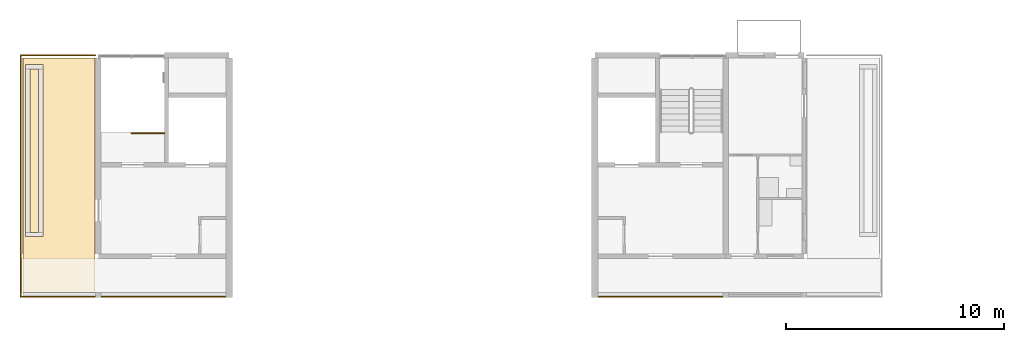
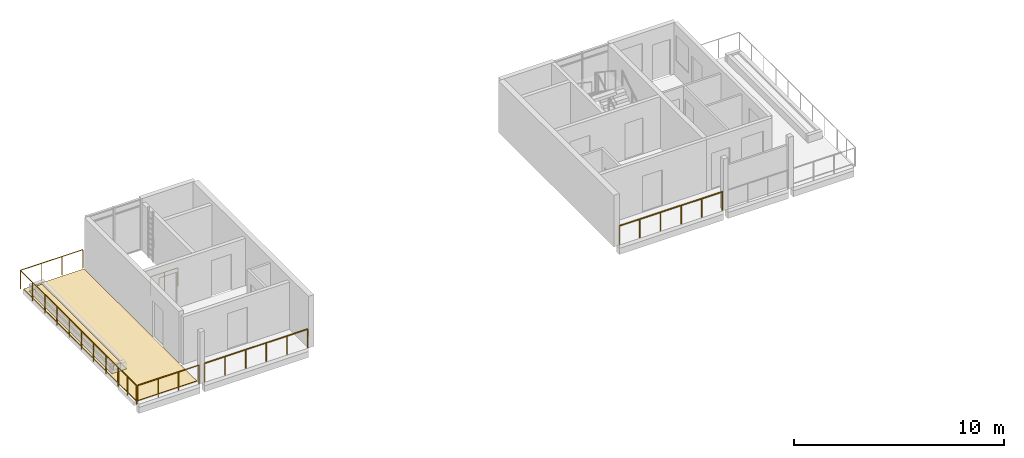
# One storey, part 29 of 33: 6 railings, 3 coverings.
"""IFC4 building model written with IfcOpenShell, lengths in metres."""

from ifc_helpers import new_model, si_unit, direction, frame, origin, origin_2d, place, context, subcontext, project, spatial, polyline, circle, outline, extrude, material, layer, layer_set, type_object, element, save


model = new_model("IFC4")

# Units and contexts
model_context = context("Model", 3, precision=1e-05, world=origin(), true_north=direction((0.0, 1.0)))
body_context = subcontext(model_context, "Body", "Model", "MODEL_VIEW")
ifc_project = project(units=[si_unit("LENGTHUNIT", "METRE"), si_unit("AREAUNIT", "SQUARE_METRE"), si_unit("VOLUMEUNIT", "CUBIC_METRE"), si_unit("PLANEANGLEUNIT", "RADIAN"), si_unit("MASSUNIT", "GRAM", prefix="KILO")], contexts=[model_context])

# Site, building, storey
site_placement = place(None, origin())
site = spatial("IfcSite", under=ifc_project, at=site_placement, CompositionType="ELEMENT")
building_placement = place(site_placement, origin())
building = spatial("IfcBuilding", under=site, at=building_placement, Name="Ridgestep Commons", CompositionType="ELEMENT")
storey_placement = place(building_placement, frame((0.0, 0.0, 42.0)))
storey = spatial("IfcBuildingStorey", under=building, at=storey_placement, Name="L14", CompositionType="ELEMENT", Elevation=42.0)

# Railings
ifc_material_1 = material(Name="Structural steel S355JR", Category="steel")
railing_type_1 = type_object("IfcRailingType", Name="Guard 1100", PredefinedType="GUARDRAIL", material=ifc_material_1)
railing_1_placement = place(storey_placement, frame((19.220947265625, 13.571044921875, 0.0)))
element("IfcRailing", 1, at=railing_1_placement, inside=storey, type_object=railing_type_1, Name="Guard TD-A1R3-GD", PredefinedType="GUARDRAIL", context=body_context, shape_type="SweptSolid", body=[
    extrude(circle(Radius=0.02392578125, at=origin_2d()), frame((0.0, 0.0, 1.076171875), z_axis=(0.0, 1.0, 0.0), x_axis=(-1.0, 0.0, 0.0)), (0.0, 0.0, 1.0), 9.303955078125),
    extrude(circle(Radius=0.02392578125, at=origin_2d()), frame((0.0, 9.303955078125, 1.076171875), z_axis=(1.0, 0.0, 0.0), x_axis=(0.0, 1.0, 0.0)), (0.0, 0.0, 1.0), 3.43310546875),
    extrude(circle(Radius=0.02099609375, at=origin_2d()), origin(), (0.0, 0.0, 1.0), 1.052001953125),
    extrude(circle(Radius=0.02099609375, at=origin_2d()), frame((0.0, 1.1630859375, 0.0)), (0.0, 0.0, 1.0), 1.052001953125),
    extrude(circle(Radius=0.02099609375, at=origin_2d()), frame((0.0, 2.325927734375, 0.0)), (0.0, 0.0, 1.0), 1.052001953125),
    extrude(circle(Radius=0.02099609375, at=origin_2d()), frame((0.0, 3.489013671875, 0.0)), (0.0, 0.0, 1.0), 1.052001953125),
    extrude(circle(Radius=0.02099609375, at=origin_2d()), frame((0.0, 4.65185546875, 0.0)), (0.0, 0.0, 1.0), 1.052001953125),
    extrude(circle(Radius=0.02099609375, at=origin_2d()), frame((0.0, 5.81494140625, 0.0)), (0.0, 0.0, 1.0), 1.052001953125),
    extrude(circle(Radius=0.02099609375, at=origin_2d()), frame((0.0, 6.97802734375, 0.0)), (0.0, 0.0, 1.0), 1.052001953125),
    extrude(circle(Radius=0.02099609375, at=origin_2d()), frame((0.0, 8.140869140625, 0.0)), (0.0, 0.0, 1.0), 1.052001953125),
    extrude(circle(Radius=0.02099609375, at=origin_2d()), frame((0.0, 9.303955078125, 0.0)), (0.0, 0.0, 1.0), 1.052001953125),
    extrude(circle(Radius=0.02099609375, at=origin_2d()), frame((1.144287109375, 9.303955078125, 0.0)), (0.0, 0.0, 1.0), 1.052001953125),
    extrude(circle(Radius=0.02099609375, at=origin_2d()), frame((2.288818359375, 9.303955078125, 0.0)), (0.0, 0.0, 1.0), 1.052001953125),
    extrude(circle(Radius=0.02099609375, at=origin_2d()), frame((3.43310546875, 9.303955078125, 0.0)), (0.0, 0.0, 1.0), 1.052001953125),
])
railing_2_placement = place(storey_placement, frame((19.283935546875, 11.800048828125, 0.0)))
element("IfcRailing", 2, at=railing_2_placement, inside=storey, type_object=railing_type_1, Name="Gallery guard A 14.1", PredefinedType="GUARDRAIL", context=body_context, shape_type="SweptSolid", body=[
    extrude(circle(Radius=0.02392578125, at=origin_2d()), frame((0.0, 0.0, 1.076171875), z_axis=(1.0, 0.0, 0.0), x_axis=(0.0, 1.0, 0.0)), (0.0, 0.0, 1.0), 3.3701171875),
    extrude(circle(Radius=0.02099609375, at=origin_2d()), origin(), (0.0, 0.0, 1.0), 1.052001953125),
    extrude(circle(Radius=0.02099609375, at=origin_2d()), frame((1.123291015625, 0.0, 0.0)), (0.0, 0.0, 1.0), 1.052001953125),
    extrude(circle(Radius=0.02099609375, at=origin_2d()), frame((2.246826171875, 0.0, 0.0)), (0.0, 0.0, 1.0), 1.052001953125),
    extrude(circle(Radius=0.02099609375, at=origin_2d()), frame((3.3701171875, 0.0, 0.0)), (0.0, 0.0, 1.0), 1.052001953125),
])
railing_3_placement = place(storey_placement, frame((19.220947265625, 11.800048828125, 0.0)))
element("IfcRailing", 3, at=railing_3_placement, inside=storey, type_object=railing_type_1, Name="Gallery end guard A 14.1W", PredefinedType="GUARDRAIL", context=body_context, shape_type="SweptSolid", body=[
    extrude(circle(Radius=0.02392578125, at=origin_2d()), frame((0.0, 0.0, 1.076171875), z_axis=(0.0, 1.0, 0.0), x_axis=(-1.0, 0.0, 0.0)), (0.0, 0.0, 1.0), 1.72900390625),
    extrude(circle(Radius=0.02099609375, at=origin_2d()), origin(), (0.0, 0.0, 1.0), 1.052001953125),
    extrude(circle(Radius=0.02099609375, at=origin_2d()), frame((0.0, 0.864501953125, 0.0)), (0.0, 0.0, 1.0), 1.052001953125),
    extrude(circle(Radius=0.02099609375, at=origin_2d()), frame((0.0, 1.72900390625, 0.0)), (0.0, 0.0, 1.0), 1.052001953125),
])
railing_4_placement = place(storey_placement, frame((22.946044921875, 11.800048828125, 0.0)))
element("IfcRailing", 4, at=railing_4_placement, inside=storey, type_object=railing_type_1, Name="Gallery guard A 14.2", PredefinedType="GUARDRAIL", context=body_context, shape_type="SweptSolid", body=[
    extrude(circle(Radius=0.02392578125, at=origin_2d()), frame((0.0, 0.0, 1.076171875), z_axis=(1.0, 0.0, 0.0), x_axis=(0.0, 1.0, 0.0)), (0.0, 0.0, 1.0), 5.682861328125),
    extrude(circle(Radius=0.02099609375, at=origin_2d()), origin(), (0.0, 0.0, 1.0), 1.052001953125),
    extrude(circle(Radius=0.02099609375, at=origin_2d()), frame((1.136474609375, 0.0, 0.0)), (0.0, 0.0, 1.0), 1.052001953125),
    extrude(circle(Radius=0.02099609375, at=origin_2d()), frame((2.273193359375, 0.0, 0.0)), (0.0, 0.0, 1.0), 1.052001953125),
    extrude(circle(Radius=0.02099609375, at=origin_2d()), frame((3.40966796875, 0.0, 0.0)), (0.0, 0.0, 1.0), 1.052001953125),
    extrude(circle(Radius=0.02099609375, at=origin_2d()), frame((4.54638671875, 0.0, 0.0)), (0.0, 0.0, 1.0), 1.052001953125),
    extrude(circle(Radius=0.02099609375, at=origin_2d()), frame((5.682861328125, 0.0, 0.0)), (0.0, 0.0, 1.0), 1.052001953125),
])
railing_5_placement = place(storey_placement, frame((45.77099609375, 11.800048828125, 0.0)))
element("IfcRailing", 5, at=railing_5_placement, inside=storey, type_object=railing_type_1, Name="Gallery guard A 14.1", PredefinedType="GUARDRAIL", context=body_context, shape_type="SweptSolid", body=[
    extrude(circle(Radius=0.02392578125, at=origin_2d()), frame((0.0, 0.0, 1.076171875), z_axis=(1.0, 0.0, 0.0), x_axis=(0.0, 1.0, 0.0)), (0.0, 0.0, 1.0), 5.68310546875),
    extrude(circle(Radius=0.02099609375, at=origin_2d()), origin(), (0.0, 0.0, 1.0), 1.052001953125),
    extrude(circle(Radius=0.02099609375, at=origin_2d()), frame((1.13671875, 0.0, 0.0)), (0.0, 0.0, 1.0), 1.052001953125),
    extrude(circle(Radius=0.02099609375, at=origin_2d()), frame((2.273193359375, 0.0, 0.0)), (0.0, 0.0, 1.0), 1.052001953125),
    extrude(circle(Radius=0.02099609375, at=origin_2d()), frame((3.409912109375, 0.0, 0.0)), (0.0, 0.0, 1.0), 1.052001953125),
    extrude(circle(Radius=0.02099609375, at=origin_2d()), frame((4.54638671875, 0.0, 0.0)), (0.0, 0.0, 1.0), 1.052001953125),
    extrude(circle(Radius=0.02099609375, at=origin_2d()), frame((5.68310546875, 0.0, 0.0)), (0.0, 0.0, 1.0), 1.052001953125),
])

# Covering
ifc_material_2 = material(Name="Planting soil")
ifc_layer_1 = layer(ifc_material_2, 0.35009765625)
ifc_layer_set_1 = layer_set([ifc_layer_1], Name="Planting soil 350")
covering_type_1 = type_object("IfcCoveringType", Name="Planting soil 350", PredefinedType="FLOORING", material=ifc_layer_set_1)
covering_1_placement = place(storey_placement, frame((0.0, 0.0, 0.010009765625)))
element("IfcCovering", 6, at=covering_1_placement, inside=storey, type_object=covering_type_1, Name="Planting soil A1R3", PredefinedType="FLOORING", context=body_context, shape_type="SweptSolid", body=[
    extrude(outline(polyline([(19.64990234375, 14.75), (20.050048828125, 14.75), (20.050048828125, 22.25), (19.64990234375, 22.25), (19.64990234375, 14.75)])), origin(), (0.0, 0.0, 1.0), 0.35009765625),
])

# Railing
ifc_material_3 = material(Name="Structural steel S355JR", Category="steel")
railing_type_2 = type_object("IfcRailingType", Name="Stair guard 1100", PredefinedType="GUARDRAIL", material=ifc_material_3)
railing_6_placement = place(storey_placement, frame((25.824951171875, 19.300048828125, 0.0)))
element("IfcRailing", 7, at=railing_6_placement, inside=storey, type_object=railing_type_2, Name="L14 A1C top well guard 1", PredefinedType="GUARDRAIL", context=body_context, shape_type="SweptSolid", body=[
    extrude(circle(Radius=0.02392578125, at=origin_2d()), frame((0.0, 0.0, 1.076171875), z_axis=(-1.0, 0.0, 0.0), x_axis=(0.0, -1.0, 0.0)), (0.0, 0.0, 1.0), 1.5),
    extrude(circle(Radius=0.02099609375, at=origin_2d()), origin(), (0.0, 0.0, 1.0), 1.052001953125),
    extrude(circle(Radius=0.02099609375, at=origin_2d()), frame((-0.75, 0.0, 0.0)), (0.0, 0.0, 1.0), 1.052001953125),
    extrude(circle(Radius=0.02099609375, at=origin_2d()), frame((-1.5, 0.0, 0.0)), (0.0, 0.0, 1.0), 1.052001953125),
])

# Coverings
ifc_material_4 = material(Name="Bitumen membrane, two layer")
ifc_layer_2 = layer(ifc_material_4, 0.010009765625)
ifc_layer_set_2 = layer_set([ifc_layer_2], Name="Terrace membrane 10")
covering_type_2 = type_object("IfcCoveringType", Name="Terrace membrane 10", PredefinedType="ROOFING", material=ifc_layer_set_2)
covering_2_placement = place(storey_placement, origin())
element("IfcCovering", 8, at=covering_2_placement, inside=storey, type_object=covering_type_2, Name="Terrace membrane A1R3", PredefinedType="ROOFING", context=body_context, shape_type="SweptSolid", body=[
    extrude(outline(polyline([(22.64990234375, 12.0), (22.64990234375, 22.75), (19.324951171875, 22.75), (19.324951171875, 12.0), (22.64990234375, 12.0)]), holes=[polyline([(20.25, 14.550048828125), (20.25, 22.449951171875), (19.449951171875, 22.449951171875), (19.449951171875, 14.550048828125), (20.25, 14.550048828125)])]), origin(), (0.0, 0.0, 1.0), 0.010009765625),
])
ifc_material_5 = material(Name="Concrete paving slab", Category="concrete")
ifc_layer_3 = layer(ifc_material_5, 0.030029296875)
ifc_layer_set_3 = layer_set([ifc_layer_3], Name="Terrace paving 30")
covering_type_3 = type_object("IfcCoveringType", Name="Terrace paving 30", PredefinedType="FLOORING", material=ifc_layer_set_3)
covering_3_placement = place(storey_placement, frame((0.0, 0.0, 0.010009765625)))
element("IfcCovering", 9, at=covering_3_placement, inside=storey, type_object=covering_type_3, Name="Terrace paving A1R3", PredefinedType="FLOORING", context=body_context, shape_type="SweptSolid", body=[
    extrude(outline(polyline([(22.64990234375, 12.0), (22.64990234375, 22.75), (19.324951171875, 22.75), (19.324951171875, 12.0), (22.64990234375, 12.0)]), holes=[polyline([(20.25, 14.550048828125), (20.25, 22.449951171875), (19.449951171875, 22.449951171875), (19.449951171875, 14.550048828125), (20.25, 14.550048828125)])]), origin(), (0.0, 0.0, 1.0), 0.030029296875),
])

save(model, "model.ifc")
